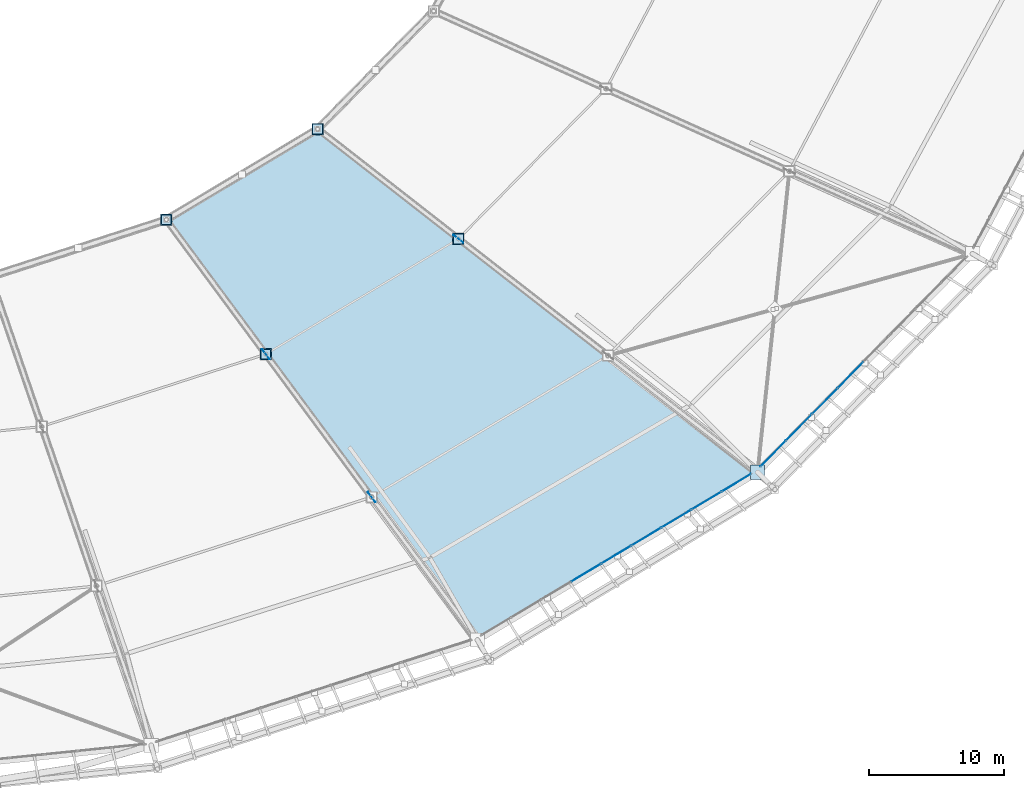
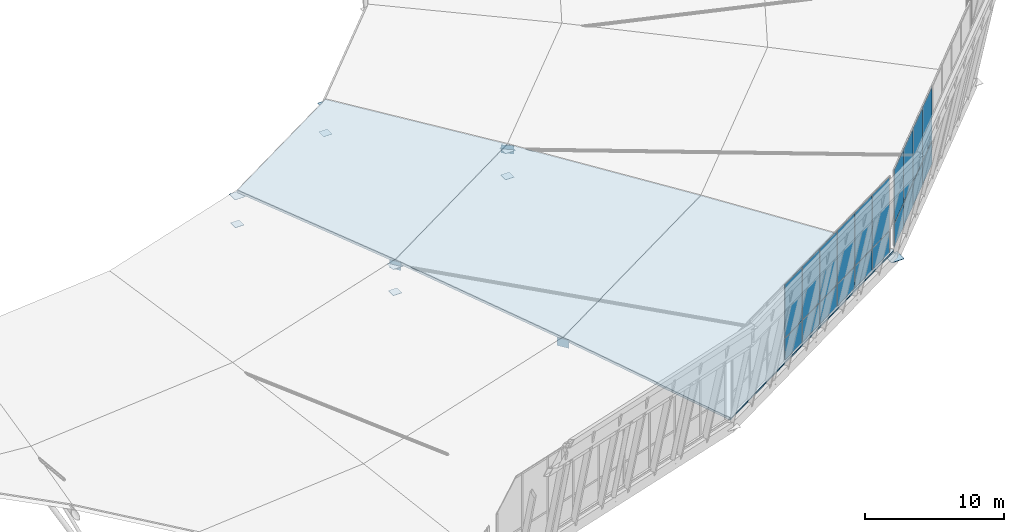
# One storey, part 90 of 115: 32 plates, 3 slabs, 3 elements without a shape of their own.
"""IFC4 building model written with IfcOpenShell, lengths in metres."""

from ifc_helpers import new_model, si_unit, direction, frame, origin, origin_2d, place, context, subcontext, project, spatial, polyline, rectangle, outline, extrude, material, layer, layer_set, type_object, element, aggregate, save


model = new_model("IFC4")

# Units and contexts
model_context = context("Model", 3, precision=1e-05, world=origin(), true_north=direction((0.0, 1.0)))
body_context = subcontext(model_context, "Body", "Model", "MODEL_VIEW")
ifc_project = project(units=[si_unit("LENGTHUNIT", "METRE"), si_unit("AREAUNIT", "SQUARE_METRE"), si_unit("VOLUMEUNIT", "CUBIC_METRE"), si_unit("PLANEANGLEUNIT", "RADIAN"), si_unit("MASSUNIT", "GRAM", prefix="KILO")], contexts=[model_context])

# Site, building, storey
site_placement = place(None, origin())
site = spatial("IfcSite", under=ifc_project, at=site_placement, CompositionType="ELEMENT")
building_placement = place(site_placement, origin())
building = spatial("IfcBuilding", under=site, at=building_placement, Name="Zlatoyarsky Gate Stadium", CompositionType="ELEMENT")
storey_placement = place(building_placement, frame((0.0, 0.0, 31.800048828125)))
storey = spatial("IfcBuildingStorey", under=building, at=storey_placement, Name="RF", CompositionType="ELEMENT", Elevation=31.800048828125)

# Roof, slabs
ifc_material_1 = material(Name="Standing-seam aluminium-zinc roofing with mineral wool insulation", Category="aluminium")
ifc_layer_1 = layer(ifc_material_1, 0.080078125)
ifc_layer_set_1 = layer_set([ifc_layer_1], Name="Standing-seam aluminium-zinc roofing with mineral wool insulation")
roof_type = type_object("IfcRoofType", Name="STADIUM BARREL VAULT ROOF ASSEMBLY", PredefinedType="BARREL_ROOF", material=ifc_layer_set_1)
roof_placement = place(storey_placement, origin())
roof = element("IfcRoof", 1, at=roof_placement, inside=storey, type_object=roof_type, Name="Stadium barrel arch roof sector 7", PredefinedType="BARREL_ROOF")
ifc_material_2 = material(Name="Concrete C40/50", Category="concrete")
ifc_layer_2 = layer(ifc_material_2, 0.199951171875)
ifc_layer_set_2 = layer_set([ifc_layer_2], Name="Concrete C40/50")
slab_type = type_object("IfcSlabType", Name="COMPOSITE STADIUM ROOF DECK SLAB 200", PredefinedType="ROOF", material=ifc_layer_set_2)
slab_1_placement = place(storey_placement, frame((161.013916015625, 12.426025390625, 0.199951171875), z_axis=(0.129152879329, -0.215770189277, 0.967865052154), x_axis=(0.8580340905, 0.51359273704, 4.42967e-07)))
slab_1 = element("IfcSlab", 2, at=slab_1_placement, type_object=slab_type, Name="Stadium arched roof deck sector 20 bay 1", PredefinedType="ROOF", context=body_context, shape_type="SweptSolid", body=[
    extrude(outline(polyline([(0.0, 0.0), (24.1439241753555, 0.0), (19.08400200367485, 13.520068961575209), (-1.2838110588714116, 13.520147369410287), (0.0, 0.0)])), origin(), (0.0, 0.0, -1.0), 0.199951171875),
])
slab_2_placement = place(storey_placement, frame((153.191650390625, 22.99462890625, 3.599853515625), z_axis=(0.120203617004, -0.200821206827, 0.972225248257), x_axis=(0.858036147249, 0.513589300914, 5.91224e-07)))
slab_2 = element("IfcSlab", 3, at=slab_2_placement, type_object=slab_type, Name="Stadium arched roof deck sector 20 bay 2", PredefinedType="ROOF", context=body_context, shape_type="SweptSolid", body=[
    extrude(outline(polyline([(0.0, 0.0), (20.367813062696413, -3.552713678800501e-15), (15.307838844274228, 13.45941398962338), (-1.2838631059696746, 13.459507352668387), (0.0, 0.0)])), origin(), (0.0, 0.0, -1.0), 0.199951171875),
])
slab_3_placement = place(storey_placement, frame((145.369384765625, 33.563232421875, 6.75), z_axis=(0.108033387963, -0.180488381017, 0.977626069314), x_axis=(0.858038956174, 0.51358460811, -8.19339e-07)))
slab_3 = element("IfcSlab", 4, at=slab_3_placement, type_object=slab_type, Name="Stadium arched roof deck sector 20 bay 3", PredefinedType="ROOF", context=body_context, shape_type="SweptSolid", body=[
    extrude(outline(polyline([(0.0, 0.0), (16.59170195050538, -1.7763568394002505e-15), (11.82945229089854, 12.597611891195022), (-1.2082156918828852, 12.597496481387735), (0.0, 0.0)])), origin(), (0.0, 0.0, -1.0), 0.199951171875),
])
aggregate(roof, [slab_1, slab_2, slab_3])

# Plates
ifc_material_3 = material(Name="Steel S355", Category="steel")
ifc_layer_3 = layer(ifc_material_3, 0.02392578125)
ifc_layer_set_3 = layer_set([ifc_layer_3], Name="Steel S355")
plate_type_1 = type_object("IfcPlateType", Name="STEEL COMPRESSION RING NODE CAP SHEET 24", PredefinedType="SHEET", material=ifc_layer_set_3)
plate_1_placement = place(storey_placement, frame((181.730224609375, 24.826171875, -0.4619140625), z_axis=(0.0, 0.0, 1.0), x_axis=(1.0, 0.0, 0.0)))
element("IfcPlate", 5, at=plate_1_placement, inside=storey, type_object=plate_type_1, Name="Node closure plate ND-CR1 NCAP-CR-21", PredefinedType="SHEET", context=body_context, shape_type="SweptSolid", body=[
    extrude(rectangle(XDim=1.050048828125, YDim=1.050048828125, at=origin_2d()), origin(), (0.0, 0.0, 1.0), 0.02392578125),
])
ifc_layer_4 = layer(ifc_material_3, 0.02392578125)
ifc_layer_set_4 = layer_set([ifc_layer_4], Name="Steel S355")
plate_type_2 = type_object("IfcPlateType", Name="STEEL HOLLOW CHORD SPLICE SHEET 24", PredefinedType="SHEET", material=ifc_layer_set_4)
plate_2_placement = place(storey_placement, frame((145.369384765625, 33.563232421875, 6.2880859375), z_axis=(0.0, 0.0, 1.0), x_axis=(1.0, 0.0, 0.0)))
element("IfcPlate", 6, at=plate_2_placement, inside=storey, type_object=plate_type_2, Name="Node closure plate ND-SP1 NCAP-TCH-20-2", PredefinedType="SHEET", context=body_context, shape_type="SweptSolid", body=[
    extrude(rectangle(XDim=0.85009765625, YDim=0.85009765625, at=origin_2d()), origin(), (0.0, 0.0, 1.0), 0.02392578125),
])
plate_3_placement = place(storey_placement, frame((145.369384765625, 33.563232421875, 3.93798828125), z_axis=(0.0, 0.0, 1.0), x_axis=(1.0, 0.0, 0.0)))
element("IfcPlate", 7, at=plate_3_placement, inside=storey, type_object=plate_type_2, Name="Node closure plate ND-SP1 NCAP-BCH-20-2", PredefinedType="SHEET", context=body_context, shape_type="SweptSolid", body=[
    extrude(rectangle(XDim=0.719970703125, YDim=0.719970703125, at=origin_2d()), origin(), (0.0, 0.0, 1.0), 0.02392578125),
])
plate_4_placement = place(storey_placement, frame((159.605712890625, 42.08447265625, 6.2880859375), z_axis=(0.0, 0.0, 1.0), x_axis=(1.0, 0.0, 0.0)))
element("IfcPlate", 8, at=plate_4_placement, inside=storey, type_object=plate_type_2, Name="Node closure plate ND-SP1 NCAP-TCH-21-2", PredefinedType="SHEET", context=body_context, shape_type="SweptSolid", body=[
    extrude(rectangle(XDim=0.85009765625, YDim=0.85009765625, at=origin_2d()), origin(), (0.0, 0.0, 1.0), 0.02392578125),
])
plate_5_placement = place(storey_placement, frame((159.605712890625, 42.08447265625, 3.93798828125), z_axis=(0.0, 0.0, 1.0), x_axis=(1.0, 0.0, 0.0)))
element("IfcPlate", 9, at=plate_5_placement, inside=storey, type_object=plate_type_2, Name="Node closure plate ND-SP1 NCAP-BCH-21-2", PredefinedType="SHEET", context=body_context, shape_type="SweptSolid", body=[
    extrude(rectangle(XDim=0.719970703125, YDim=0.719970703125, at=origin_2d()), origin(), (0.0, 0.0, 1.0), 0.02392578125),
])
ifc_layer_5 = layer(ifc_material_3, 0.031982421875)
ifc_layer_set_5 = layer_set([ifc_layer_5], Name="Steel S355")
plate_type_3 = type_object("IfcPlateType", Name="STEEL RADIAL TRUSS GUSSET PLATE 32", PredefinedType="USERDEFINED", material=ifc_layer_set_5)
for number, where, z_axis, x_axis, name in (
    (10, (153.191650390625, 22.99462890625, 2.7900390625), (0.0, 0.0, 1.0), (-0.594913145096, 0.8037899911, 0.0), "Radial truss gusset plate ND-WB1 20.1"),
    (11, (145.369384765625, 33.563232421875, 5.93994140625), (0.0, 0.0, 1.0), (-0.594913145096, 0.8037899911, 0.0), "Radial truss gusset plate ND-WB1 20.2"),
    (12, (159.605712890625, 42.08447265625, 5.93994140625), (0.0, 0.0, 1.0), (-0.788479093296, 0.615061557436, 0.0), "Radial truss gusset plate ND-WB1 21.2"),
):
    element("IfcPlate", number, at=place(storey_placement, frame(where, z_axis=z_axis, x_axis=x_axis)), inside=storey, type_object=plate_type_3, Name=name, ObjectType="GUSSET PLATE", PredefinedType="USERDEFINED", context=body_context, shape_type="SweptSolid", body=[
        extrude(rectangle(XDim=0.919921875, YDim=0.031982421875, at=origin_2d()), origin(), (0.0, 0.0, 1.0), 0.719970703125),
    ])
ifc_layer_6 = layer(ifc_material_3, 0.02392578125)
ifc_layer_set_6 = layer_set([ifc_layer_6], Name="Steel S355")
plate_type_4 = type_object("IfcPlateType", Name="STEEL TENSION RING NODE CAP SHEET 24", PredefinedType="SHEET", material=ifc_layer_set_6)
plate_6_placement = place(storey_placement, frame((138.007568359375, 43.510009765625, 8.93798828125), z_axis=(0.0, 0.0, 1.0), x_axis=(1.0, 0.0, 0.0)))
element("IfcPlate", 13, at=plate_6_placement, inside=storey, type_object=plate_type_4, Name="Node closure plate ND-TR1 NCAP-TCH-20-3", PredefinedType="SHEET", context=body_context, shape_type="SweptSolid", body=[
    extrude(rectangle(XDim=0.85009765625, YDim=0.85009765625, at=origin_2d()), origin(), (0.0, 0.0, 1.0), 0.02392578125),
])
plate_7_placement = place(storey_placement, frame((138.007568359375, 43.510009765625, 6.43798828125), z_axis=(0.0, 0.0, 1.0), x_axis=(1.0, 0.0, 0.0)))
element("IfcPlate", 14, at=plate_7_placement, inside=storey, type_object=plate_type_4, Name="Node closure plate ND-TR1 NCAP-BCH-20-3", PredefinedType="SHEET", context=body_context, shape_type="SweptSolid", body=[
    extrude(rectangle(XDim=0.719970703125, YDim=0.719970703125, at=origin_2d()), origin(), (0.0, 0.0, 1.0), 0.02392578125),
])
plate_8_placement = place(storey_placement, frame((149.1943359375, 50.2060546875, 8.93798828125), z_axis=(0.0, 0.0, 1.0), x_axis=(1.0, 0.0, 0.0)))
element("IfcPlate", 15, at=plate_8_placement, inside=storey, type_object=plate_type_4, Name="Node closure plate ND-TR1 NCAP-TCH-21-3", PredefinedType="SHEET", context=body_context, shape_type="SweptSolid", body=[
    extrude(rectangle(XDim=0.85009765625, YDim=0.85009765625, at=origin_2d()), origin(), (0.0, 0.0, 1.0), 0.02392578125),
])
plate_9_placement = place(storey_placement, frame((149.1943359375, 50.2060546875, 6.43798828125), z_axis=(0.0, 0.0, 1.0), x_axis=(1.0, 0.0, 0.0)))
element("IfcPlate", 16, at=plate_9_placement, inside=storey, type_object=plate_type_4, Name="Node closure plate ND-TR1 NCAP-BCH-21-3", PredefinedType="SHEET", context=body_context, shape_type="SweptSolid", body=[
    extrude(rectangle(XDim=0.719970703125, YDim=0.719970703125, at=origin_2d()), origin(), (0.0, 0.0, 1.0), 0.02392578125),
])

# Curtain wall, plates
ifc_material_4 = material(Name="Thermally broken anodised aluminium curtain wall", Category="aluminium")
curtain_wall_type = type_object("IfcCurtainWallType", Name="UNITISED SKYBOX RING GLAZING L05", PredefinedType="USERDEFINED", material=ifc_material_4)
curtain_wall_1_placement = place(storey_placement, origin())
curtain_wall_1 = element("IfcCurtainWall", 17, at=curtain_wall_1_placement, inside=storey, type_object=curtain_wall_type, Name="Curtain wall CW-RF-20", ObjectType="UNITISED GLAZING", PredefinedType="USERDEFINED")
ifc_material_5 = material(Name="Triple-glazed argon low-e architectural glass", Category="glass")
ifc_layer_7 = layer(ifc_material_5, 0.0380859375)
ifc_layer_set_7 = layer_set([ifc_layer_7], Name="Triple-glazed argon low-e architectural glass")
plate_type_5 = type_object("IfcPlateType", Name="TRIPLE GLAZED LOW E CURTAIN PANEL 38", PredefinedType="CURTAIN_PANEL", material=ifc_layer_set_7)
plate_10_placement = place(storey_placement, frame((169.065185546875, 17.406494140625, 0.06494140625), z_axis=(0.0, 0.0, 1.0), x_axis=(0.858127891517, 0.513435995817, 0.0)))
plate_10 = element("IfcPlate", 18, at=plate_10_placement, type_object=plate_type_5, Name="CW-UG5 panel 4.1", PredefinedType="CURTAIN_PANEL", context=body_context, shape_type="SweptSolid", body=[
    extrude(rectangle(XDim=2.524658203125, YDim=0.0380859375, at=origin_2d()), origin(), (0.0, 0.0, 1.0), 2.052490234375),
])
plate_11_placement = place(storey_placement, frame((169.065185546875, 17.406494140625, 2.1826171875), z_axis=(0.0, 0.0, 1.0), x_axis=(0.858127891517, 0.513435995817, 0.0)))
plate_11 = element("IfcPlate", 19, at=plate_11_placement, type_object=plate_type_5, Name="CW-UG5 panel 4.2", PredefinedType="CURTAIN_PANEL", context=body_context, shape_type="SweptSolid", body=[
    extrude(rectangle(XDim=2.524658203125, YDim=0.0380859375, at=origin_2d()), origin(), (0.0, 0.0, 1.0), 4.652587890625),
])
plate_12_placement = place(storey_placement, frame((171.28759765625, 18.736328125, 0.06494140625), z_axis=(0.0, 0.0, 1.0), x_axis=(0.858127891517, 0.513435995817, 0.0)))
plate_12 = element("IfcPlate", 20, at=plate_12_placement, type_object=plate_type_5, Name="CW-UG5 panel 5.1", PredefinedType="CURTAIN_PANEL", context=body_context, shape_type="SweptSolid", body=[
    extrude(rectangle(XDim=2.524658203125, YDim=0.0380859375, at=origin_2d()), origin(), (0.0, 0.0, 1.0), 2.052490234375),
])
plate_13_placement = place(storey_placement, frame((171.28759765625, 18.736328125, 2.1826171875), z_axis=(0.0, 0.0, 1.0), x_axis=(0.858127891517, 0.513435995817, 0.0)))
plate_13 = element("IfcPlate", 21, at=plate_13_placement, type_object=plate_type_5, Name="CW-UG5 panel 5.2", PredefinedType="CURTAIN_PANEL", context=body_context, shape_type="SweptSolid", body=[
    extrude(rectangle(XDim=2.524658203125, YDim=0.0380859375, at=origin_2d()), origin(), (0.0, 0.0, 1.0), 4.652587890625),
])
plate_14_placement = place(storey_placement, frame((173.509765625, 20.06591796875, 0.06494140625), z_axis=(0.0, 0.0, 1.0), x_axis=(0.858127891517, 0.513435995817, 0.0)))
plate_14 = element("IfcPlate", 22, at=plate_14_placement, type_object=plate_type_5, Name="CW-UG5 panel 6.1", PredefinedType="CURTAIN_PANEL", context=body_context, shape_type="SweptSolid", body=[
    extrude(rectangle(XDim=2.524658203125, YDim=0.0380859375, at=origin_2d()), origin(), (0.0, 0.0, 1.0), 2.052490234375),
])
plate_15_placement = place(storey_placement, frame((173.509765625, 20.06591796875, 2.1826171875), z_axis=(0.0, 0.0, 1.0), x_axis=(0.858127891517, 0.513435995817, 0.0)))
plate_15 = element("IfcPlate", 23, at=plate_15_placement, type_object=plate_type_5, Name="CW-UG5 panel 6.2", PredefinedType="CURTAIN_PANEL", context=body_context, shape_type="SweptSolid", body=[
    extrude(rectangle(XDim=2.524658203125, YDim=0.0380859375, at=origin_2d()), origin(), (0.0, 0.0, 1.0), 4.652587890625),
])
plate_16_placement = place(storey_placement, frame((175.732177734375, 21.3955078125, 0.06494140625), z_axis=(0.0, 0.0, 1.0), x_axis=(0.858127891517, 0.513435995817, 0.0)))
plate_16 = element("IfcPlate", 24, at=plate_16_placement, type_object=plate_type_5, Name="CW-UG5 panel 7.1", PredefinedType="CURTAIN_PANEL", context=body_context, shape_type="SweptSolid", body=[
    extrude(rectangle(XDim=2.524658203125, YDim=0.0380859375, at=origin_2d()), origin(), (0.0, 0.0, 1.0), 2.052490234375),
])
plate_17_placement = place(storey_placement, frame((175.732177734375, 21.3955078125, 2.1826171875), z_axis=(0.0, 0.0, 1.0), x_axis=(0.858127891517, 0.513435995817, 0.0)))
plate_17 = element("IfcPlate", 25, at=plate_17_placement, type_object=plate_type_5, Name="CW-UG5 panel 7.2", PredefinedType="CURTAIN_PANEL", context=body_context, shape_type="SweptSolid", body=[
    extrude(rectangle(XDim=2.524658203125, YDim=0.0380859375, at=origin_2d()), origin(), (0.0, 0.0, 1.0), 4.652587890625),
])
plate_18_placement = place(storey_placement, frame((177.954345703125, 22.72509765625, 0.06494140625), z_axis=(0.0, 0.0, 1.0), x_axis=(0.858127891517, 0.513435995817, 0.0)))
plate_18 = element("IfcPlate", 26, at=plate_18_placement, type_object=plate_type_5, Name="CW-UG5 panel 8.1", PredefinedType="CURTAIN_PANEL", context=body_context, shape_type="SweptSolid", body=[
    extrude(rectangle(XDim=2.524658203125, YDim=0.0380859375, at=origin_2d()), origin(), (0.0, 0.0, 1.0), 2.052490234375),
])
plate_19_placement = place(storey_placement, frame((177.954345703125, 22.72509765625, 2.1826171875), z_axis=(0.0, 0.0, 1.0), x_axis=(0.858127891517, 0.513435995817, 0.0)))
plate_19 = element("IfcPlate", 27, at=plate_19_placement, type_object=plate_type_5, Name="CW-UG5 panel 8.2", PredefinedType="CURTAIN_PANEL", context=body_context, shape_type="SweptSolid", body=[
    extrude(rectangle(XDim=2.524658203125, YDim=0.0380859375, at=origin_2d()), origin(), (0.0, 0.0, 1.0), 4.652587890625),
])
plate_20_placement = place(storey_placement, frame((180.162841796875, 24.046630859375, 0.06494140625), z_axis=(0.0, 0.0, 1.0), x_axis=(0.858127891517, 0.513435995817, 0.0)))
plate_20 = element("IfcPlate", 28, at=plate_20_placement, type_object=plate_type_5, Name="CW-UG5 panel 9.1", PredefinedType="CURTAIN_PANEL", context=body_context, shape_type="SweptSolid", body=[
    extrude(rectangle(XDim=2.4921875, YDim=0.0380859375, at=origin_2d()), origin(), (0.0, 0.0, 1.0), 2.052490234375),
])
plate_21_placement = place(storey_placement, frame((180.162841796875, 24.046630859375, 2.1826171875), z_axis=(0.0, 0.0, 1.0), x_axis=(0.858127891517, 0.513435995817, 0.0)))
plate_21 = element("IfcPlate", 29, at=plate_21_placement, type_object=plate_type_5, Name="CW-UG5 panel 9.2", PredefinedType="CURTAIN_PANEL", context=body_context, shape_type="SweptSolid", body=[
    extrude(rectangle(XDim=2.4921875, YDim=0.0380859375, at=origin_2d()), origin(), (0.0, 0.0, 1.0), 4.652587890625),
])
aggregate(curtain_wall_1, [plate_10, plate_11, plate_12, plate_13, plate_14, plate_15, plate_16, plate_17, plate_18, plate_19, plate_20, plate_21])

curtain_wall_2_placement = place(storey_placement, origin())
curtain_wall_2 = element("IfcCurtainWall", 30, at=curtain_wall_2_placement, inside=storey, type_object=curtain_wall_type, Name="Curtain wall CW-RF-21", ObjectType="UNITISED GLAZING", PredefinedType="USERDEFINED")
plate_22_placement = place(storey_placement, frame((182.880126953125, 26.1943359375, 0.06494140625), z_axis=(0.0, 0.0, 1.0), x_axis=(0.701401848456, 0.712766053473, 0.0)))
plate_22 = element("IfcPlate", 31, at=plate_22_placement, type_object=plate_type_5, Name="CW-UG5 panel 1.1", PredefinedType="CURTAIN_PANEL", context=body_context, shape_type="SweptSolid", body=[
    extrude(rectangle(XDim=2.63134765625, YDim=0.0380859375, at=origin_2d()), origin(), (0.0, 0.0, 1.0), 2.052490234375),
])
plate_23_placement = place(storey_placement, frame((182.880126953125, 26.1943359375, 2.1826171875), z_axis=(0.0, 0.0, 1.0), x_axis=(0.701401848456, 0.712766053473, 0.0)))
plate_23 = element("IfcPlate", 32, at=plate_23_placement, type_object=plate_type_5, Name="CW-UG5 panel 1.2", PredefinedType="CURTAIN_PANEL", context=body_context, shape_type="SweptSolid", body=[
    extrude(rectangle(XDim=2.63134765625, YDim=0.0380859375, at=origin_2d()), origin(), (0.0, 0.0, 1.0), 4.652587890625),
])
plate_24_placement = place(storey_placement, frame((184.782958984375, 28.1279296875, 0.06494140625), z_axis=(0.0, 0.0, 1.0), x_axis=(0.701401848456, 0.712766053473, 0.0)))
plate_24 = element("IfcPlate", 33, at=plate_24_placement, type_object=plate_type_5, Name="CW-UG5 panel 2.1", PredefinedType="CURTAIN_PANEL", context=body_context, shape_type="SweptSolid", body=[
    extrude(rectangle(XDim=2.6640625, YDim=0.0380859375, at=origin_2d()), origin(), (0.0, 0.0, 1.0), 2.052490234375),
])
plate_25_placement = place(storey_placement, frame((184.782958984375, 28.1279296875, 2.1826171875), z_axis=(0.0, 0.0, 1.0), x_axis=(0.701401848456, 0.712766053473, 0.0)))
plate_25 = element("IfcPlate", 34, at=plate_25_placement, type_object=plate_type_5, Name="CW-UG5 panel 2.2", PredefinedType="CURTAIN_PANEL", context=body_context, shape_type="SweptSolid", body=[
    extrude(rectangle(XDim=2.6640625, YDim=0.0380859375, at=origin_2d()), origin(), (0.0, 0.0, 1.0), 4.652587890625),
])
plate_26_placement = place(storey_placement, frame((186.697021484375, 30.072998046875, 0.06494140625), z_axis=(0.0, 0.0, 1.0), x_axis=(0.701401848456, 0.712766053473, 0.0)))
plate_26 = element("IfcPlate", 35, at=plate_26_placement, type_object=plate_type_5, Name="CW-UG5 panel 3.1", PredefinedType="CURTAIN_PANEL", context=body_context, shape_type="SweptSolid", body=[
    extrude(rectangle(XDim=2.6640625, YDim=0.0380859375, at=origin_2d()), origin(), (0.0, 0.0, 1.0), 2.052490234375),
])
plate_27_placement = place(storey_placement, frame((186.697021484375, 30.072998046875, 2.1826171875), z_axis=(0.0, 0.0, 1.0), x_axis=(0.701401848456, 0.712766053473, 0.0)))
plate_27 = element("IfcPlate", 36, at=plate_27_placement, type_object=plate_type_5, Name="CW-UG5 panel 3.2", PredefinedType="CURTAIN_PANEL", context=body_context, shape_type="SweptSolid", body=[
    extrude(rectangle(XDim=2.6640625, YDim=0.0380859375, at=origin_2d()), origin(), (0.0, 0.0, 1.0), 4.652587890625),
])
plate_28_placement = place(storey_placement, frame((188.611083984375, 32.01806640625, 0.06494140625), z_axis=(0.0, 0.0, 1.0), x_axis=(0.701401848456, 0.712766053473, 0.0)))
plate_28 = element("IfcPlate", 37, at=plate_28_placement, type_object=plate_type_5, Name="CW-UG5 panel 4.1", PredefinedType="CURTAIN_PANEL", context=body_context, shape_type="SweptSolid", body=[
    extrude(rectangle(XDim=2.6640625, YDim=0.0380859375, at=origin_2d()), origin(), (0.0, 0.0, 1.0), 2.052490234375),
])
plate_29_placement = place(storey_placement, frame((188.611083984375, 32.01806640625, 2.1826171875), z_axis=(0.0, 0.0, 1.0), x_axis=(0.701401848456, 0.712766053473, 0.0)))
plate_29 = element("IfcPlate", 38, at=plate_29_placement, type_object=plate_type_5, Name="CW-UG5 panel 4.2", PredefinedType="CURTAIN_PANEL", context=body_context, shape_type="SweptSolid", body=[
    extrude(rectangle(XDim=2.6640625, YDim=0.0380859375, at=origin_2d()), origin(), (0.0, 0.0, 1.0), 4.652587890625),
])
aggregate(curtain_wall_2, [plate_22, plate_23, plate_24, plate_25, plate_26, plate_27, plate_28, plate_29])

save(model, "model.ifc")
